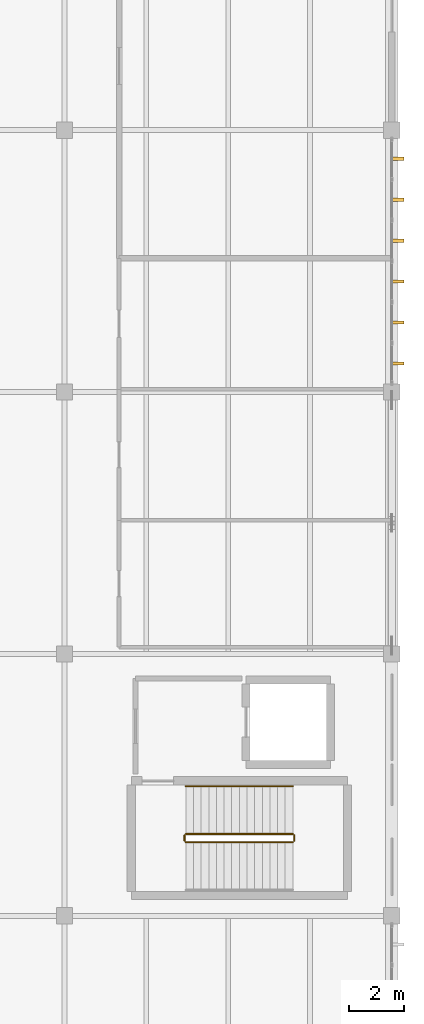
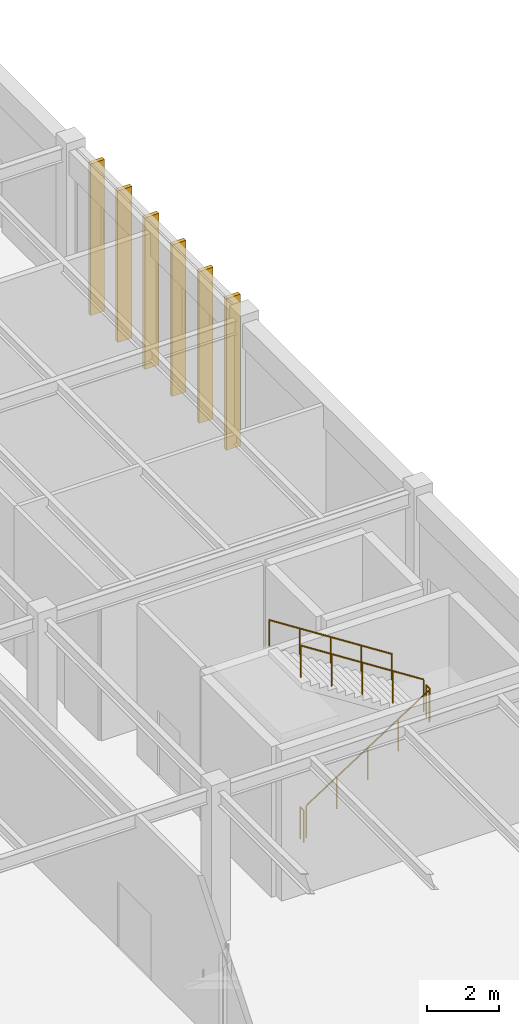
# One storey, part 184 of 188: 6 shading devices, 5 railings.
"""IFC4 building model written with IfcOpenShell, lengths in metres."""

import ifcopenshell
import ifcopenshell.guid

model = None  # the IFC model being written
_history = None  # IfcOwnerHistory: only IFC2X3 demands one
_inside = {}  # id of a spatial element -> (the spatial element, [elements in it])
_under = {}  # id of a project, library or spatial element -> (it, [spatial elements below it])
_declared = {}  # id of a project -> (the project, [libraries it declares])
_typed = {}  # id of a type object -> (the type object, [elements of that type])
_made_of = {}  # id of a material, layer set ... -> (it, [elements and type objects made of it])


def new_model(schema):
    """Start an empty IFC model of exactly this schema.

    Asked for "IFC4X3", IfcOpenShell would pick the latest addendum, in which some entities
    have other attributes; the version numbers below select the first issue.
    IFC2X3 requires an IfcOwnerHistory on every rooted entity: one is made here for all.
    """
    global model, _history
    if schema == "IFC4X3":
        model = ifcopenshell.file(schema_version=(4, 3, 0, 0))
    else:
        model = ifcopenshell.file(schema=schema)
    _inside.clear()
    _under.clear()
    _declared.clear()
    _typed.clear()
    _made_of.clear()
    _history = None
    if model.schema == "IFC2X3":
        org = make("IfcOrganization", Name="unknown")
        user = make(
            "IfcPersonAndOrganization",
            ThePerson=make("IfcPerson", FamilyName="unknown"),
            TheOrganization=org,
        )
        app = make(
            "IfcApplication",
            ApplicationDeveloper=org,
            Version="unknown",
            ApplicationFullName="unknown",
            ApplicationIdentifier="unknown",
        )
        _history = make(
            "IfcOwnerHistory",
            OwningUser=user,
            OwningApplication=app,
            ChangeAction="ADDED",
            CreationDate=0,
        )
    return model


def make(cls, **values):
    """One entity of the class cls with the attributes given. An attribute that is None is left unset."""
    return model.create_entity(
        cls, **{name: value for name, value in values.items() if value is not None}
    )


def rooted(cls, **values):
    """An entity with a GlobalId (a new one), such as an element, a storey or a relation."""
    return make(cls, GlobalId=ifcopenshell.guid.new(), OwnerHistory=_history, **values)


def si_unit(unit_type, name, prefix=None):
    """IfcSIUnit, for example si_unit("LENGTHUNIT", "METRE", prefix="MILLI")."""
    return make("IfcSIUnit", UnitType=unit_type, Prefix=prefix, Name=name)


def assignment(units):
    """IfcUnitAssignment: the units of a project."""
    return None if units is None else make("IfcUnitAssignment", Units=units)


def point(xyz):
    """IfcCartesianPoint."""
    return None if xyz is None else make("IfcCartesianPoint", Coordinates=xyz)


def direction(xyz):
    """IfcDirection."""
    return None if xyz is None else make("IfcDirection", DirectionRatios=xyz)


def frame(location, z_axis=None, x_axis=None):
    """IfcAxis2Placement3D, a coordinate frame: its origin and axes. An axis left out is left unset."""
    return make(
        "IfcAxis2Placement3D",
        Location=point(location),
        Axis=direction(z_axis),
        RefDirection=direction(x_axis),
    )


def frame_2d(location, x_axis=None):
    """IfcAxis2Placement2D, a coordinate frame in the plane: its origin and x axis."""
    return make(
        "IfcAxis2Placement2D", Location=point(location), RefDirection=direction(x_axis)
    )


def origin():
    """The frame at (0, 0, 0) with its axes left unset."""
    return frame((0.0, 0.0, 0.0))


def origin_2d():
    """The frame at (0, 0) in the plane with its x axis left unset."""
    return frame_2d((0.0, 0.0))


def place(relative_to, where):
    """IfcLocalPlacement: puts the frame where relative to a parent placement (None: the world)."""
    return make(
        "IfcLocalPlacement", PlacementRelTo=relative_to, RelativePlacement=where
    )


def context(
    kind, dimensions, precision=None, world=None, true_north=None, identifier=None
):
    """IfcGeometricRepresentationContext, for example the 3D "Model" context."""
    return make(
        "IfcGeometricRepresentationContext",
        ContextIdentifier=identifier,
        ContextType=kind,
        CoordinateSpaceDimension=dimensions,
        Precision=precision,
        WorldCoordinateSystem=world,
        TrueNorth=true_north,
    )


def subcontext(parent, identifier, kind, view, scale=None):
    """IfcGeometricRepresentationSubContext, for example "Body" below "Model"."""
    return make(
        "IfcGeometricRepresentationSubContext",
        ContextIdentifier=identifier,
        ContextType=kind,
        ParentContext=parent,
        TargetScale=scale,
        TargetView=view,
    )


def project(units=None, contexts=None):
    """IfcProject with its units and contexts."""
    return rooted(
        "IfcProject",
        Name="project",
        RepresentationContexts=contexts,
        UnitsInContext=assignment(units),
    )


def spatial(cls, under=None, at=None, **own):
    """A site, building, storey or space (cls), placed at a placement, below another one or the project."""
    s = rooted(cls, ObjectPlacement=at, **own)
    if under is not None:
        _under.setdefault(under.id(), (under, []))[1].append(s)
    return s


def profile(cls, at=None, kind="AREA", **sizes):
    """A parametric profile (cls). Its sizes go by their IFC names, for example OverallWidth=200.0."""
    return make(cls, ProfileType=kind, Position=at, **sizes)


def rectangle(**sizes):
    """IfcRectangleProfileDef."""
    return profile("IfcRectangleProfileDef", **sizes)


def circle(**sizes):
    """IfcCircleProfileDef."""
    return profile("IfcCircleProfileDef", **sizes)


def extrude(swept, where, along, depth):
    """IfcExtrudedAreaSolid: the profile swept, set in the frame where, extruded along a direction by depth."""
    return make(
        "IfcExtrudedAreaSolid",
        SweptArea=swept,
        Position=where,
        ExtrudedDirection=direction(along),
        Depth=depth,
    )


def shape(context_of_items, identifier, shape_type, items):
    """IfcShapeRepresentation: the items that make up one representation, for example the "Body"."""
    return make(
        "IfcShapeRepresentation",
        ContextOfItems=context_of_items,
        RepresentationIdentifier=identifier,
        RepresentationType=shape_type,
        Items=items,
    )


def material(Name=None, Category=None):
    """IfcMaterial."""
    return make("IfcMaterial", Name=Name, Category=Category)


def made_of(thing, what):
    """Note that an element or type object is made of a material, layer set ...; save() writes the relation."""
    if what is not None:
        _made_of.setdefault(what.id(), (what, []))[1].append(thing)
    return thing


def type_object(cls, material=None, **own):
    """A type object (cls), such as IfcWallType, which elements share."""
    return made_of(rooted(cls, **own), material)


def element(
    cls,
    number,
    at=None,
    inside=None,
    cuts=None,
    type_object=None,
    material=None,
    context=None,
    identifier="Body",
    shape_type=None,
    held_by="IfcProductDefinitionShape",
    body=None,
    shapes=None,
    **own,
):
    """One element of the class cls, such as IfcWall. Its Tag is "e" and its number.

    at: its placement. inside: the storey or other place that contains it. cuts: it is an
    opening in that element (IfcRelVoidsElement). A single representation is given by context,
    identifier, shape_type and body (its items); several are given by shapes. held_by: the class
    of the entity that holds the representations. save() writes the other relations.
    """
    e = rooted(cls, Tag="e%d" % number, ObjectPlacement=at, **own)
    if body is not None:
        shapes = [shape(context, identifier, shape_type, body)]
    if shapes is not None:
        e.Representation = make(held_by, Representations=shapes)
    if inside is not None:
        _inside.setdefault(inside.id(), (inside, []))[1].append(e)
    if cuts is not None:
        rooted(
            "IfcRelVoidsElement", RelatingBuildingElement=cuts, RelatedOpeningElement=e
        )
    if type_object is not None:
        _typed.setdefault(type_object.id(), (type_object, []))[1].append(e)
    return made_of(e, material)


def aggregate(whole, parts):
    """IfcRelAggregates: a whole, such as a stair, and the parts it consists of."""
    return rooted("IfcRelAggregates", RelatingObject=whole, RelatedObjects=parts)


def save(model, path):
    """Write the relations noted so far, then the file.

    IfcRelAggregates (storeys below a building ...), IfcRelContainedInSpatialStructure (elements
    in a storey), IfcRelDefinesByType, IfcRelAssociatesMaterial and IfcRelDeclares: one each for
    every whole, place, type object, material and project.
    """
    for whole, parts in _under.values():
        aggregate(whole, parts)
    for where, things in _inside.values():
        rooted(
            "IfcRelContainedInSpatialStructure",
            RelatedElements=things,
            RelatingStructure=where,
        )
    for kind, things in _typed.values():
        rooted("IfcRelDefinesByType", RelatedObjects=things, RelatingType=kind)
    for what, things in _made_of.values():
        rooted("IfcRelAssociatesMaterial", RelatedObjects=things, RelatingMaterial=what)
    for by, libraries in _declared.values():
        rooted("IfcRelDeclares", RelatingContext=by, RelatedDefinitions=libraries)
    model.write(path)


model = new_model("IFC4")

# Units and contexts
model_context = context("Model", 3, precision=1e-05, world=origin(), true_north=direction((0.0, 1.0)))
body_context = subcontext(model_context, "Body", "Model", "MODEL_VIEW")
ifc_project = project(units=[si_unit("LENGTHUNIT", "METRE"), si_unit("AREAUNIT", "SQUARE_METRE"), si_unit("VOLUMEUNIT", "CUBIC_METRE"), si_unit("PLANEANGLEUNIT", "RADIAN"), si_unit("MASSUNIT", "GRAM", prefix="KILO")], contexts=[model_context])

# Site, building, storey
site_placement = place(None, origin())
site = spatial("IfcSite", under=ifc_project, at=site_placement, CompositionType="ELEMENT")
building_placement = place(site_placement, origin())
building = spatial("IfcBuilding", under=site, at=building_placement, Name="Pandanus Reach Market Hall", CompositionType="ELEMENT")
storey_placement = place(building_placement, origin())
storey = spatial("IfcBuildingStorey", under=building, at=storey_placement, Name="L00", CompositionType="ELEMENT", Elevation=0.0)

# Shading devices
ifc_material_1 = material(Name="Precast concrete S50 (50 MPa)", Category="concrete")
shading_device_type = type_object("IfcShadingDeviceType", Name="FN-S50-450", PredefinedType="JALOUSIE", material=ifc_material_1)
for number, where, z_axis, x_axis, name in (
    (1, (180.219970703125, 49.050048828125, -0.010009765625), (0.0, 0.0, 1.0), (1.0, 0.0, 0.0), "Precast brise-soleil fin 273"),
    (2, (180.219970703125, 50.550048828125, -0.010009765625), (0.0, 0.0, 1.0), (1.0, 0.0, 0.0), "Precast brise-soleil fin 274"),
    (3, (180.219970703125, 52.050048828125, -0.010009765625), (0.0, 0.0, 1.0), (1.0, 0.0, 0.0), "Precast brise-soleil fin 275"),
    (4, (180.219970703125, 53.550048828125, -0.010009765625), (0.0, 0.0, 1.0), (1.0, 0.0, 0.0), "Precast brise-soleil fin 276"),
    (5, (180.219970703125, 55.050048828125, -0.010009765625), (0.0, 0.0, 1.0), (1.0, 0.0, 0.0), "Precast brise-soleil fin 277"),
    (6, (180.219970703125, 56.550048828125, -0.010009765625), (0.0, 0.0, 1.0), (1.0, 0.0, 0.0), "Precast brise-soleil fin 278"),
):
    element("IfcShadingDevice", number, at=place(storey_placement, frame(where, z_axis=z_axis, x_axis=x_axis)), inside=storey, type_object=shading_device_type, Name=name, PredefinedType="JALOUSIE", context=body_context, shape_type="SweptSolid", body=[
        extrude(rectangle(XDim=0.449951171875, YDim=0.1201171875, at=origin_2d()), origin(), (0.0, 0.0, 1.0), 5.1201171875),
    ])

# Railings
ifc_material_2 = material(Name="Galvanised steel Grade 350 (350 MPa)", Category="steel")
railing_type_1 = type_object("IfcRailingType", Name="GR-INT-110", PredefinedType="GUARDRAIL", material=ifc_material_2)
railing_1_placement = place(storey_placement, frame((172.449951171875, 31.5, 0.179931640625)))
element("IfcRailing", 7, at=railing_1_placement, inside=storey, type_object=railing_type_1, Name="Stair guard ST-01 L00.7", PredefinedType="GUARDRAIL", context=body_context, shape_type="SweptSolid", body=[
    extrude(circle(Radius=0.02392578125, at=origin_2d()), frame((0.0, 0.0, 1.076171875), z_axis=(0.841186985886, 0.0, 0.540744352514), x_axis=(0.0, 1.0, 0.0)), (0.0, 0.0, 1.0), 4.660400390625),
    extrude(circle(Radius=0.02099609375, at=origin_2d()), origin(), (0.0, 0.0, 1.0), 1.052001953125),
    extrude(circle(Radius=0.02099609375, at=origin_2d()), frame((0.97998046875, 0.0, 0.6298828125)), (0.0, 0.0, 1.0), 1.052001953125),
    extrude(circle(Radius=0.02099609375, at=origin_2d()), frame((1.9599609375, 0.0, 1.260009765625)), (0.0, 0.0, 1.0), 1.052001953125),
    extrude(circle(Radius=0.02099609375, at=origin_2d()), frame((2.940185546875, 0.0, 1.89013671875)), (0.0, 0.0, 1.0), 1.052001953125),
    extrude(circle(Radius=0.02099609375, at=origin_2d()), frame((3.920166015625, 0.0, 2.52001953125)), (0.0, 0.0, 1.0), 1.052001953125),
])
railing_2_placement = place(storey_placement, frame((176.419921875, 31.550048828125, 2.699951171875)))
element("IfcRailing", 8, at=railing_2_placement, inside=storey, type_object=railing_type_1, Name="Stair guard ST-01 L00.8", PredefinedType="GUARDRAIL", context=body_context, shape_type="SweptSolid", body=[
    extrude(circle(Radius=0.02392578125, at=origin_2d()), frame((0.0, 0.0, 1.076171875), z_axis=(0.0, 1.0, 0.0), x_axis=(-1.0, 0.0, 0.0)), (0.0, 0.0, 1.0), 0.199951171875),
    extrude(circle(Radius=0.02099609375, at=origin_2d()), origin(), (0.0, 0.0, 1.0), 1.052001953125),
    extrude(circle(Radius=0.02099609375, at=origin_2d()), frame((0.0, 0.199951171875, 0.0)), (0.0, 0.0, 1.0), 1.052001953125),
])
railing_3_placement = place(storey_placement, frame((176.3701171875, 31.800048828125, 2.8798828125)))
element("IfcRailing", 9, at=railing_3_placement, inside=storey, type_object=railing_type_1, Name="Stair guard ST-01 L00.9", PredefinedType="GUARDRAIL", context=body_context, shape_type="SweptSolid", body=[
    extrude(circle(Radius=0.02392578125, at=origin_2d()), frame((0.0, 0.0, 1.076171875), z_axis=(-0.841186985886, 0.0, 0.540744352514), x_axis=(0.0, -1.0, 0.0)), (0.0, 0.0, 1.0), 4.660400390625),
    extrude(circle(Radius=0.02099609375, at=origin_2d()), origin(), (0.0, 0.0, 1.0), 1.052001953125),
    extrude(circle(Radius=0.02099609375, at=origin_2d()), frame((-0.97998046875, 0.0, 0.6298828125)), (0.0, 0.0, 1.0), 1.052001953125),
    extrude(circle(Radius=0.02099609375, at=origin_2d()), frame((-1.9599609375, 0.0, 1.260009765625)), (0.0, 0.0, 1.0), 1.052001953125),
    extrude(circle(Radius=0.02099609375, at=origin_2d()), frame((-2.940185546875, 0.0, 1.89013671875)), (0.0, 0.0, 1.0), 1.052001953125),
    extrude(circle(Radius=0.02099609375, at=origin_2d()), frame((-3.920166015625, 0.0, 2.52001953125)), (0.0, 0.0, 1.0), 1.052001953125),
])
railing_4_placement = place(storey_placement, frame((172.39990234375, 31.550048828125, 0.0)))
element("IfcRailing", 10, at=railing_4_placement, inside=storey, type_object=railing_type_1, Name="Stair guard ST-01 L00.10", PredefinedType="GUARDRAIL", context=body_context, shape_type="SweptSolid", body=[
    extrude(circle(Radius=0.02392578125, at=origin_2d()), frame((0.0, 0.0, 1.076171875), z_axis=(0.0, 1.0, 0.0), x_axis=(-1.0, 0.0, 0.0)), (0.0, 0.0, 1.0), 0.199951171875),
    extrude(circle(Radius=0.02099609375, at=origin_2d()), origin(), (0.0, 0.0, 1.0), 1.052001953125),
    extrude(circle(Radius=0.02099609375, at=origin_2d()), frame((0.0, 0.199951171875, 0.0)), (0.0, 0.0, 1.0), 1.052001953125),
])
ifc_material_3 = material(Name="Brushed stainless steel", Category="steel")
railing_type_2 = type_object("IfcRailingType", Name="HR-WAL-090", PredefinedType="HANDRAIL", material=ifc_material_3)
railing_5_placement = place(storey_placement, frame((176.3701171875, 33.550048828125, 2.8798828125)))
element("IfcRailing", 11, at=railing_5_placement, inside=storey, type_object=railing_type_2, Name="Stair handrail ST-01 L00.12", PredefinedType="HANDRAIL", context=body_context, shape_type="SweptSolid", body=[
    extrude(circle(Radius=0.02392578125, at=origin_2d()), frame((0.0, 0.0, 0.8759765625), z_axis=(-0.841186985886, 0.0, 0.540744352514), x_axis=(0.0, -1.0, 0.0)), (0.0, 0.0, 1.0), 4.660400390625),
    extrude(circle(Radius=0.02099609375, at=origin_2d()), origin(), (0.0, 0.0, 1.0), 0.851806640625),
    extrude(circle(Radius=0.02099609375, at=origin_2d()), frame((-0.97998046875, 0.0, 0.6298828125)), (0.0, 0.0, 1.0), 0.851806640625),
    extrude(circle(Radius=0.02099609375, at=origin_2d()), frame((-1.9599609375, 0.0, 1.260009765625)), (0.0, 0.0, 1.0), 0.851806640625),
    extrude(circle(Radius=0.02099609375, at=origin_2d()), frame((-2.940185546875, 0.0, 1.89013671875)), (0.0, 0.0, 1.0), 0.851806640625),
    extrude(circle(Radius=0.02099609375, at=origin_2d()), frame((-3.920166015625, 0.0, 2.52001953125)), (0.0, 0.0, 1.0), 0.851806640625),
])

save(model, "model.ifc")
